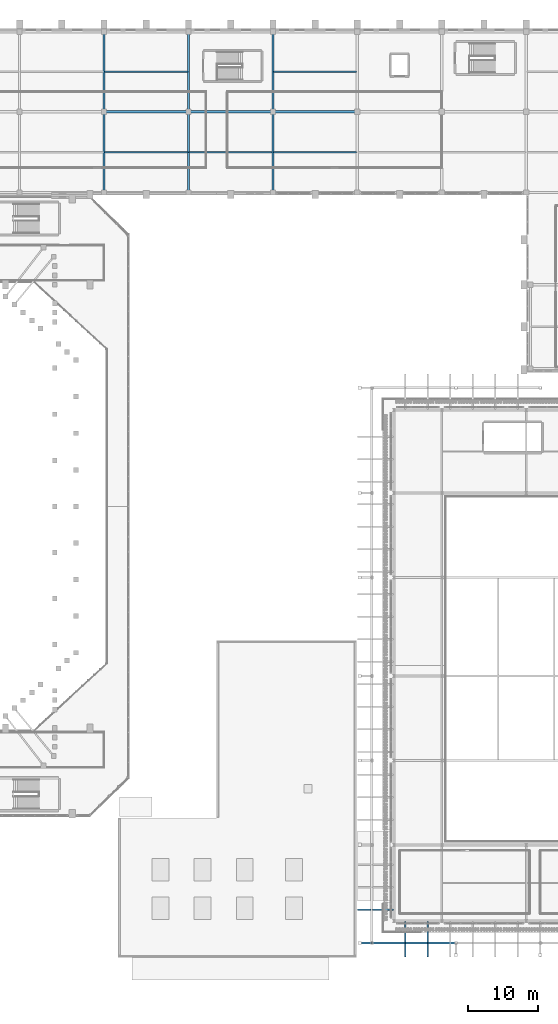
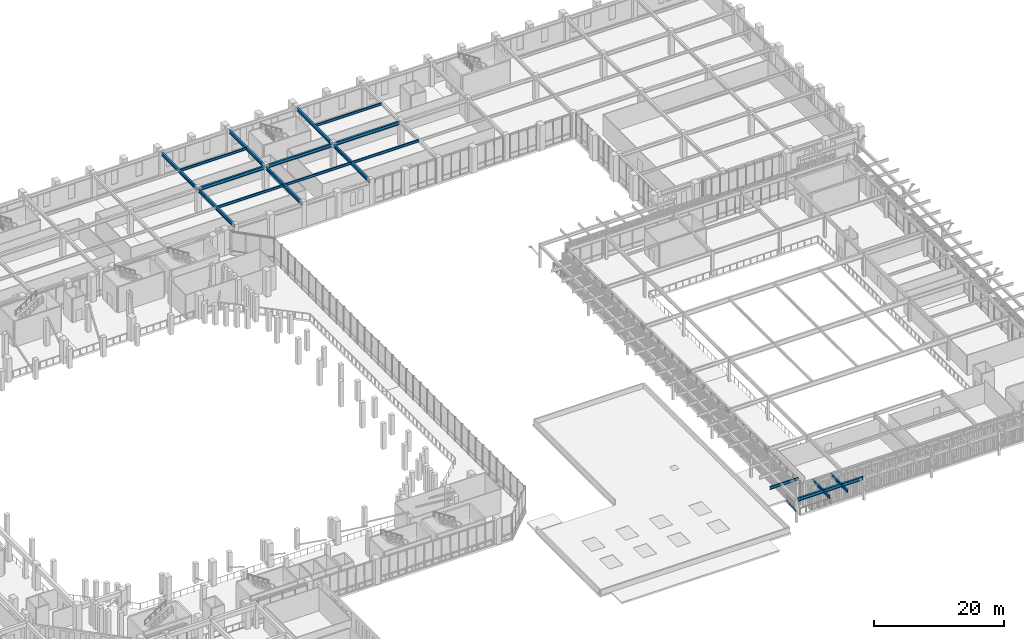
# One storey, part 41 of 126: 21 beams, 1 member.
"""IFC4 building model written with IfcOpenShell, lengths in metres."""

from ifc_helpers import new_model, si_unit, derived_unit, direction, frame, origin, origin_2d, place, context, subcontext, project, spatial, hollow_rectangle, i_section, extrude, material, material_profile, profile_set, type_object, element, save


model = new_model("IFC4")

# Units and contexts
model_context = context("Model", 3, precision=1e-05, world=origin(), true_north=direction((0.0, 1.0)))
body_context = subcontext(model_context, "Body", "Model", "MODEL_VIEW")
ifc_project = project(units=[si_unit("LENGTHUNIT", "METRE"), si_unit("AREAUNIT", "SQUARE_METRE"), si_unit("VOLUMEUNIT", "CUBIC_METRE"), si_unit("PLANEANGLEUNIT", "RADIAN"), si_unit("MASSUNIT", "GRAM", prefix="KILO"), derived_unit("THERMALTRANSMITTANCEUNIT", [(si_unit("MASSUNIT", "GRAM", prefix="KILO"), 1), (si_unit("TIMEUNIT", "SECOND"), -3), (si_unit("THERMODYNAMICTEMPERATUREUNIT", "KELVIN"), -1)])], contexts=[model_context])

# Site, building, storey
site_placement = place(None, origin())
site = spatial("IfcSite", under=ifc_project, at=site_placement, CompositionType="ELEMENT")
building_placement = place(site_placement, origin())
building = spatial("IfcBuilding", under=site, at=building_placement, Name="Valcora Ridge Arena", CompositionType="ELEMENT")
storey_placement = place(building_placement, frame((0.0, 0.0, 11.39990234375)))
storey = spatial("IfcBuildingStorey", under=building, at=storey_placement, Name="L02", CompositionType="ELEMENT", Elevation=11.39990234375)

# Beams
ifc_material_1 = material(Name="Steel ASTM A572 Grade 50", Category="steel")
ifc_material_profile_1 = material_profile(ifc_material_1, i_section(OverallWidth=0.324951171875, OverallDepth=0.612060546875, WebThickness=0.0126953125, FlangeThickness=0.01904296875, FilletRadius=0.01806640625, at=origin_2d()), Name="W24X104")
ifc_profile_set_1 = profile_set([ifc_material_profile_1], Name="Steel ASTM A572 Grade 50")
beam_type_1 = type_object("IfcBeamType", Name="TY-BEAM-G-COL-W24S", PredefinedType="BEAM", material=ifc_profile_set_1)
beam_1_placement = place(storey_placement, frame((134.2099609375, 2.050048828125, 4.174072265625), z_axis=(1.0, 0.0, 0.0), x_axis=(0.0, 1.0, 0.0)))
element("IfcBeam", 1, at=beam_1_placement, inside=storey, type_object=beam_type_1, Name="G-COL-W24S BEM-G-COL-W24S-0001", PredefinedType="BEAM", context=body_context, shape_type="SweptSolid", body=[
    extrude(i_section(OverallWidth=0.324951171875, OverallDepth=0.612060546875, WebThickness=0.0126953125, FlangeThickness=0.01904296875, FilletRadius=0.01806640625, at=origin_2d()), origin(), (0.0, 0.0, 1.0), 11.630126953125),
])
ifc_material_profile_2 = material_profile(ifc_material_1, i_section(OverallWidth=0.324951171875, OverallDepth=0.612060546875, WebThickness=0.0126953125, FlangeThickness=0.01904296875, FilletRadius=0.01806640625, at=origin_2d()), Name="W24X104")
ifc_profile_set_2 = profile_set([ifc_material_profile_2], Name="Steel ASTM A572 Grade 50")
beam_type_2 = type_object("IfcBeamType", Name="TY-BEAM-G-W24X104-X", PredefinedType="BEAM", material=ifc_profile_set_2)
for number, where, z_axis, x_axis, name in (
    (2, (96.139892578125, 120.199951171875, 4.14404296875), (1.0, 0.0, 0.0), (0.0, 1.0, 0.0), "G-W24X104-X BEM-G-W24X104-X-0086"),
    (3, (108.139892578125, 120.199951171875, 4.14404296875), (1.0, 0.0, 0.0), (0.0, 1.0, 0.0), "G-W24X104-X BEM-G-W24X104-X-0087"),
    (4, (120.139892578125, 120.199951171875, 4.14404296875), (1.0, 0.0, 0.0), (0.0, 1.0, 0.0), "G-W24X104-X BEM-G-W24X104-X-0088"),
):
    element("IfcBeam", number, at=place(storey_placement, frame(where, z_axis=z_axis, x_axis=x_axis)), inside=storey, type_object=beam_type_2, Name=name, PredefinedType="BEAM", context=body_context, shape_type="SweptSolid", body=[
        extrude(i_section(OverallWidth=0.324951171875, OverallDepth=0.612060546875, WebThickness=0.0126953125, FlangeThickness=0.01904296875, FilletRadius=0.01806640625, at=origin_2d()), origin(), (0.0, 0.0, 1.0), 11.72021484375),
    ])
ifc_material_profile_3 = material_profile(ifc_material_1, i_section(OverallWidth=0.324951171875, OverallDepth=0.612060546875, WebThickness=0.0126953125, FlangeThickness=0.01904296875, FilletRadius=0.01806640625, at=origin_2d()), Name="W24X104")
ifc_profile_set_3 = profile_set([ifc_material_profile_3], Name="Steel ASTM A572 Grade 50")
beam_type_3 = type_object("IfcBeamType", Name="TY-BEAM-G-W24X104-Y", PredefinedType="BEAM", material=ifc_profile_set_3)
beam_2_placement = place(storey_placement, frame((96.0, 108.840087890625, 4.14404296875), z_axis=(0.0, 1.0, 0.0), x_axis=(-1.0, 0.0, 0.0)))
element("IfcBeam", 5, at=beam_2_placement, inside=storey, type_object=beam_type_3, Name="G-W24X104-Y BEM-G-W24X104-Y-0084", PredefinedType="BEAM", context=body_context, shape_type="SweptSolid", body=[
    extrude(i_section(OverallWidth=0.324951171875, OverallDepth=0.612060546875, WebThickness=0.0126953125, FlangeThickness=0.01904296875, FilletRadius=0.01806640625, at=origin_2d()), origin(), (0.0, 0.0, 1.0), 11.219970703125),
])
beam_3_placement = place(storey_placement, frame((96.0, 120.340087890625, 4.14404296875), z_axis=(0.0, 1.0, 0.0), x_axis=(-1.0, 0.0, 0.0)))
element("IfcBeam", 6, at=beam_3_placement, inside=storey, type_object=beam_type_3, Name="G-W24X104-Y BEM-G-W24X104-Y-0085", PredefinedType="BEAM", context=body_context, shape_type="SweptSolid", body=[
    extrude(i_section(OverallWidth=0.324951171875, OverallDepth=0.612060546875, WebThickness=0.0126953125, FlangeThickness=0.01904296875, FilletRadius=0.01806640625, at=origin_2d()), origin(), (0.0, 0.0, 1.0), 11.06982421875),
])
beam_4_placement = place(storey_placement, frame((108.0, 108.840087890625, 4.14404296875), z_axis=(0.0, 1.0, 0.0), x_axis=(-1.0, 0.0, 0.0)))
element("IfcBeam", 7, at=beam_4_placement, inside=storey, type_object=beam_type_3, Name="G-W24X104-Y BEM-G-W24X104-Y-0086", PredefinedType="BEAM", context=body_context, shape_type="SweptSolid", body=[
    extrude(i_section(OverallWidth=0.324951171875, OverallDepth=0.612060546875, WebThickness=0.0126953125, FlangeThickness=0.01904296875, FilletRadius=0.01806640625, at=origin_2d()), origin(), (0.0, 0.0, 1.0), 11.219970703125),
])
beam_5_placement = place(storey_placement, frame((108.0, 120.340087890625, 4.14404296875), z_axis=(0.0, 1.0, 0.0), x_axis=(-1.0, 0.0, 0.0)))
element("IfcBeam", 8, at=beam_5_placement, inside=storey, type_object=beam_type_3, Name="G-W24X104-Y BEM-G-W24X104-Y-0087", PredefinedType="BEAM", context=body_context, shape_type="SweptSolid", body=[
    extrude(i_section(OverallWidth=0.324951171875, OverallDepth=0.612060546875, WebThickness=0.0126953125, FlangeThickness=0.01904296875, FilletRadius=0.01806640625, at=origin_2d()), origin(), (0.0, 0.0, 1.0), 11.06982421875),
])
beam_6_placement = place(storey_placement, frame((120.0, 108.840087890625, 4.14404296875), z_axis=(0.0, 1.0, 0.0), x_axis=(-1.0, 0.0, 0.0)))
element("IfcBeam", 9, at=beam_6_placement, inside=storey, type_object=beam_type_3, Name="G-W24X104-Y BEM-G-W24X104-Y-0088", PredefinedType="BEAM", context=body_context, shape_type="SweptSolid", body=[
    extrude(i_section(OverallWidth=0.324951171875, OverallDepth=0.612060546875, WebThickness=0.0126953125, FlangeThickness=0.01904296875, FilletRadius=0.01806640625, at=origin_2d()), origin(), (0.0, 0.0, 1.0), 11.219970703125),
])
beam_7_placement = place(storey_placement, frame((120.0, 120.340087890625, 4.14404296875), z_axis=(0.0, 1.0, 0.0), x_axis=(-1.0, 0.0, 0.0)))
element("IfcBeam", 10, at=beam_7_placement, inside=storey, type_object=beam_type_3, Name="G-W24X104-Y BEM-G-W24X104-Y-0089", PredefinedType="BEAM", context=body_context, shape_type="SweptSolid", body=[
    extrude(i_section(OverallWidth=0.324951171875, OverallDepth=0.612060546875, WebThickness=0.0126953125, FlangeThickness=0.01904296875, FilletRadius=0.01806640625, at=origin_2d()), origin(), (0.0, 0.0, 1.0), 11.06982421875),
])
ifc_material_profile_4 = material_profile(ifc_material_1, i_section(OverallWidth=0.18994140625, OverallDepth=0.45703125, WebThickness=0.009033203125, FlangeThickness=0.014404296875, FilletRadius=0.014892578125, at=origin_2d()), Name="W18X50")
ifc_profile_set_4 = profile_set([ifc_material_profile_4], Name="Steel ASTM A572 Grade 50")
beam_type_4 = type_object("IfcBeamType", Name="TY-BEAM-J-W18X50", PredefinedType="JOIST", material=ifc_profile_set_4)
for number, where, z_axis, x_axis, name in (
    (11, (96.10009765625, 114.449951171875, 4.2216796875), (1.0, 0.0, 0.0), (0.0, 1.0, 0.0), "J-W18X50 BEM-J-W18X50-0061"),
    (12, (96.10009765625, 125.875, 4.2216796875), (1.0, 0.0, 0.0), (0.0, 1.0, 0.0), "J-W18X50 BEM-J-W18X50-0062"),
    (13, (108.10009765625, 114.449951171875, 4.2216796875), (1.0, 0.0, 0.0), (0.0, 1.0, 0.0), "J-W18X50 BEM-J-W18X50-0063"),
    (14, (120.10009765625, 114.449951171875, 4.2216796875), (1.0, 0.0, 0.0), (0.0, 1.0, 0.0), "J-W18X50 BEM-J-W18X50-0064"),
    (15, (120.10009765625, 125.875, 4.2216796875), (1.0, 0.0, 0.0), (0.0, 1.0, 0.0), "J-W18X50 BEM-J-W18X50-0065"),
):
    element("IfcBeam", number, at=place(storey_placement, frame(where, z_axis=z_axis, x_axis=x_axis)), inside=storey, type_object=beam_type_4, Name=name, PredefinedType="JOIST", context=body_context, shape_type="SweptSolid", body=[
        extrude(i_section(OverallWidth=0.18994140625, OverallDepth=0.45703125, WebThickness=0.009033203125, FlangeThickness=0.014404296875, FilletRadius=0.014892578125, at=origin_2d()), origin(), (0.0, 0.0, 1.0), 11.7998046875),
    ])
ifc_material_profile_5 = material_profile(ifc_material_1, i_section(OverallWidth=0.208984375, OverallDepth=0.532958984375, WebThickness=0.01025390625, FlangeThickness=0.015625, FilletRadius=0.01611328125, at=origin_2d()), Name="W21X62")
ifc_profile_set_5 = profile_set([ifc_material_profile_5], Name="Steel ASTM A572 Grade 50")
beam_type_5 = type_object("IfcBeamType", Name="TY-BEAM-RAF-EAVE-W21", PredefinedType="BEAM", material=ifc_profile_set_5)
beam_8_placement = place(storey_placement, frame((134.1298828125, 6.800048828125, 4.213623046875), z_axis=(1.0, 0.0, 0.0), x_axis=(0.0, 1.0, 0.0)))
element("IfcBeam", 16, at=beam_8_placement, inside=storey, type_object=beam_type_5, Name="RAF-EAVE-W21 BEM-RAF-EAVE-W21-0001", PredefinedType="BEAM", context=body_context, shape_type="SweptSolid", body=[
    extrude(i_section(OverallWidth=0.208984375, OverallDepth=0.532958984375, WebThickness=0.01025390625, FlangeThickness=0.015625, FilletRadius=0.01611328125, at=origin_2d()), origin(), (0.0, 0.0, 1.0), 2.990234375),
])
ifc_material_profile_6 = material_profile(ifc_material_1, i_section(OverallWidth=0.208984375, OverallDepth=0.532958984375, WebThickness=0.01025390625, FlangeThickness=0.015625, FilletRadius=0.01611328125, at=origin_2d()), Name="W21X62")
ifc_profile_set_6 = profile_set([ifc_material_profile_6], Name="Steel ASTM A572 Grade 50")
beam_type_6 = type_object("IfcBeamType", Name="TY-BEAM-RAF-EAVE-W21S", PredefinedType="BEAM", material=ifc_profile_set_6)
for number, where, z_axis, x_axis, name in (
    (17, (138.800048828125, 2.1298828125, 4.213623046875), (0.0, 1.0, 0.0), (-1.0, 0.0, 0.0), "RAF-EAVE-W21S BEM-RAF-EAVE-W21S-0001"),
    (18, (142.0, 2.1298828125, 4.213623046875), (0.0, 1.0, 0.0), (-1.0, 0.0, 0.0), "RAF-EAVE-W21S BEM-RAF-EAVE-W21S-0002"),
):
    element("IfcBeam", number, at=place(storey_placement, frame(where, z_axis=z_axis, x_axis=x_axis)), inside=storey, type_object=beam_type_6, Name=name, PredefinedType="BEAM", context=body_context, shape_type="SweptSolid", body=[
        extrude(i_section(OverallWidth=0.208984375, OverallDepth=0.532958984375, WebThickness=0.01025390625, FlangeThickness=0.015625, FilletRadius=0.01611328125, at=origin_2d()), origin(), (0.0, 0.0, 1.0), 2.990234375),
    ])
ifc_material_profile_7 = material_profile(ifc_material_1, i_section(OverallWidth=0.208984375, OverallDepth=0.532958984375, WebThickness=0.01025390625, FlangeThickness=0.015625, FilletRadius=0.01611328125, at=origin_2d()), Name="W21X62")
ifc_profile_set_7 = profile_set([ifc_material_profile_7], Name="Steel ASTM A572 Grade 50")
beam_type_7 = type_object("IfcBeamType", Name="TY-BEAM-RAF-TIP-W21", PredefinedType="BEAM", material=ifc_profile_set_7)
beam_9_placement = place(storey_placement, frame((132.050048828125, 6.800048828125, 4.213623046875), z_axis=(1.0, 0.0, 0.0), x_axis=(0.0, 1.0, 0.0)))
element("IfcBeam", 19, at=beam_9_placement, inside=storey, type_object=beam_type_7, Name="RAF-TIP-W21 BEM-RAF-TIP-W21-0001", PredefinedType="BEAM", context=body_context, shape_type="SweptSolid", body=[
    extrude(i_section(OverallWidth=0.208984375, OverallDepth=0.532958984375, WebThickness=0.01025390625, FlangeThickness=0.015625, FilletRadius=0.01611328125, at=origin_2d()), origin(), (0.0, 0.0, 1.0), 1.919921875),
])
ifc_material_profile_8 = material_profile(ifc_material_1, i_section(OverallWidth=0.208984375, OverallDepth=0.532958984375, WebThickness=0.01025390625, FlangeThickness=0.015625, FilletRadius=0.01611328125, at=origin_2d()), Name="W21X62")
ifc_profile_set_8 = profile_set([ifc_material_profile_8], Name="Steel ASTM A572 Grade 50")
beam_type_8 = type_object("IfcBeamType", Name="TY-BEAM-RAF-TIP-W21S", PredefinedType="BEAM", material=ifc_profile_set_8)
for number, where, z_axis, x_axis, name in (
    (20, (138.800048828125, 0.050048828125, 4.213623046875), (0.0, 1.0, 0.0), (-1.0, 0.0, 0.0), "RAF-TIP-W21S BEM-RAF-TIP-W21S-0001"),
    (21, (142.0, 0.050048828125, 4.213623046875), (0.0, 1.0, 0.0), (-1.0, 0.0, 0.0), "RAF-TIP-W21S BEM-RAF-TIP-W21S-0002"),
):
    element("IfcBeam", number, at=place(storey_placement, frame(where, z_axis=z_axis, x_axis=x_axis)), inside=storey, type_object=beam_type_8, Name=name, PredefinedType="BEAM", context=body_context, shape_type="SweptSolid", body=[
        extrude(i_section(OverallWidth=0.208984375, OverallDepth=0.532958984375, WebThickness=0.01025390625, FlangeThickness=0.015625, FilletRadius=0.01611328125, at=origin_2d()), origin(), (0.0, 0.0, 1.0), 1.919921875),
    ])

# Member
ifc_material_2 = material(Name="Steel ASTM A500 Grade C", Category="steel")
ifc_material_profile_9 = material_profile(ifc_material_2, hollow_rectangle(XDim=0.25, YDim=0.25, WallThickness=0.012451171875, at=origin_2d()), Name="HSS250X250X12")
ifc_profile_set_9 = profile_set([ifc_material_profile_9], Name="Steel ASTM A500 Grade C")
member_type = type_object("IfcMemberType", Name="TY-MEMBER-KBG-250", PredefinedType="BRACE", material=ifc_profile_set_9)
member_placement = place(storey_placement, frame((134.050048828125, 2.050048828125, 2.0), z_axis=(-0.55317758564, 0.0, 0.833063358182), x_axis=(0.0, -1.0, 0.0)))
element("IfcMember", 22, at=member_placement, inside=storey, type_object=member_type, Name="KBG-250 Knee Brace", PredefinedType="BRACE", context=body_context, shape_type="SweptSolid", body=[
    extrude(hollow_rectangle(XDim=0.25, YDim=0.25, WallThickness=0.012451171875, at=origin_2d()), origin(), (0.0, 0.0, 1.0), 3.072998046875),
])

save(model, "model.ifc")
